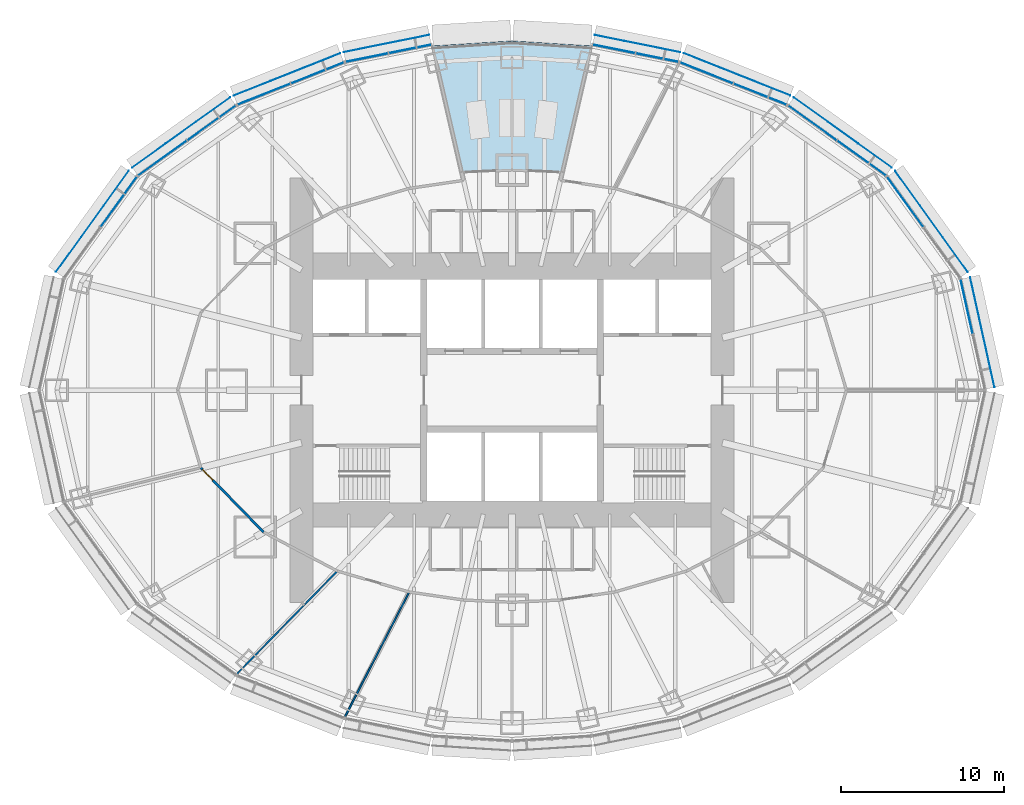
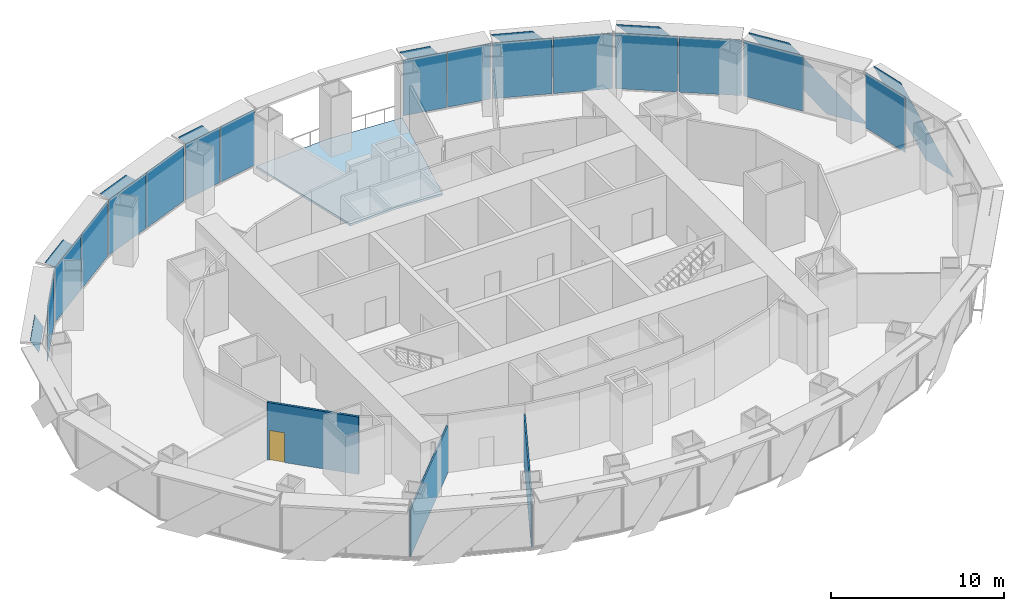
# One storey, part 10 of 17: 24 plates, 3 walls, 1 door, 1 slab, 1 opening, 9 elements without a shape of their own.
"""IFC4 building model written with IfcOpenShell, lengths in metres."""

from ifc_helpers import new_model, si_unit, direction, frame, frame_2d, origin, origin_2d, place, context, subcontext, project, spatial, polyline, rectangle, outline, extrude, material, layer, layer_set, type_object, element, fill, aggregate, save


model = new_model("IFC4")

# Units and contexts
model_context = context("Model", 3, precision=1e-05, world=origin(), true_north=direction((0.0, 1.0)))
body_context = subcontext(model_context, "Body", "Model", "MODEL_VIEW")
ifc_project = project(units=[si_unit("LENGTHUNIT", "METRE"), si_unit("AREAUNIT", "SQUARE_METRE"), si_unit("VOLUMEUNIT", "CUBIC_METRE"), si_unit("PLANEANGLEUNIT", "RADIAN"), si_unit("MASSUNIT", "GRAM", prefix="KILO")], contexts=[model_context])

# Site, building, storey
site_placement = place(None, origin())
site = spatial("IfcSite", under=ifc_project, at=site_placement, CompositionType="ELEMENT")
building_placement = place(site_placement, origin())
building = spatial("IfcBuilding", under=site, at=building_placement, Name="Lantaw Convention Tower", CompositionType="ELEMENT")
storey_placement = place(building_placement, frame((0.0, 0.0, 151.0)))
storey = spatial("IfcBuildingStorey", under=building, at=storey_placement, Name="L35", CompositionType="ELEMENT", Elevation=151.0)

# Curtain wall, plate
ifc_material_1 = material(Name="Aluminium framed curtain wall", Category="aluminium")
curtain_wall_type = type_object("IfcCurtainWallType", Name="Office curtain wall low rise, pale aluminium", PredefinedType="USERDEFINED", material=ifc_material_1)
curtain_wall_1_placement = place(storey_placement, origin())
curtain_wall_1 = element("IfcCurtainWall", 1, at=curtain_wall_1_placement, inside=storey, type_object=curtain_wall_type, Name="Office curtain wall low rise, pale aluminium L35", ObjectType="UNITISED CURTAIN WALL", PredefinedType="USERDEFINED")
ifc_material_2 = material(Name="Clear insulating glass", Category="glass")
ifc_layer_1 = layer(ifc_material_2, 0.028076171875)
ifc_layer_set_1 = layer_set([ifc_layer_1], Name="CW-O1 panel 28")
plate_type_1 = type_object("IfcPlateType", Name="CW-O1 panel 28", PredefinedType="CURTAIN_PANEL", material=ifc_layer_set_1)
plate_1_placement = place(storey_placement, frame((27.868896484375, 5.1240234375, 0.06494140625), z_axis=(0.0, 0.0, 1.0), x_axis=(-0.215546166174, 0.9764936509, 0.0)))
plate_1 = element("IfcPlate", 2, at=plate_1_placement, type_object=plate_type_1, Name="CW-O1 panel 2.1", PredefinedType="CURTAIN_PANEL", context=body_context, shape_type="SweptSolid", body=[
    extrude(rectangle(XDim=3.41162109375, YDim=0.028076171875, at=origin_2d()), origin(), (0.0, 0.0, 1.0), 3.919921875),
])
aggregate(curtain_wall_1, [plate_1])

curtain_wall_2_placement = place(storey_placement, origin())
curtain_wall_2 = element("IfcCurtainWall", 3, at=curtain_wall_2_placement, inside=storey, type_object=curtain_wall_type, Name="Office curtain wall low rise, pale aluminium L35", ObjectType="UNITISED CURTAIN WALL", PredefinedType="USERDEFINED")
plate_2_placement = place(storey_placement, frame((24.108154296875, 11.5439453125, 0.06494140625), z_axis=(0.0, 0.0, 1.0), x_axis=(-0.584512597221, 0.811384633629, 0.0)))
plate_2 = element("IfcPlate", 4, at=plate_2_placement, type_object=plate_type_1, Name="CW-O1 panel 2.1", PredefinedType="CURTAIN_PANEL", context=body_context, shape_type="SweptSolid", body=[
    extrude(rectangle(XDim=3.767333984375, YDim=0.028076171875, at=origin_2d()), origin(), (0.0, 0.0, 1.0), 3.919921875),
])
aggregate(curtain_wall_2, [plate_2])

# Curtain wall, plates
curtain_wall_3_placement = place(storey_placement, origin())
curtain_wall_3 = element("IfcCurtainWall", 5, at=curtain_wall_3_placement, inside=storey, type_object=curtain_wall_type, Name="Office curtain wall low rise, pale aluminium L35", ObjectType="UNITISED CURTAIN WALL", PredefinedType="USERDEFINED")
plate_3_placement = place(storey_placement, frame((21.43408203125, 14.2236328125, 0.06494140625), z_axis=(0.0, 0.0, 1.0), x_axis=(-0.813208325995, 0.581972695693, 0.0)))
plate_3 = element("IfcPlate", 6, at=plate_3_placement, type_object=plate_type_1, Name="CW-O1 panel 1.1", PredefinedType="CURTAIN_PANEL", context=body_context, shape_type="SweptSolid", body=[
    extrude(rectangle(XDim=3.645263671875, YDim=0.028076171875, at=origin_2d()), origin(), (0.0, 0.0, 1.0), 3.919921875),
])
plate_4_placement = place(storey_placement, frame((18.416748046875, 16.383056640625, 0.06494140625), z_axis=(0.0, 0.0, 1.0), x_axis=(-0.813208325995, 0.581972695693, 0.0)))
plate_4 = element("IfcPlate", 7, at=plate_4_placement, type_object=plate_type_1, Name="CW-O1 panel 2.1", PredefinedType="CURTAIN_PANEL", context=body_context, shape_type="SweptSolid", body=[
    extrude(rectangle(XDim=3.645263671875, YDim=0.028076171875, at=origin_2d()), origin(), (0.0, 0.0, 1.0), 3.919921875),
])
aggregate(curtain_wall_3, [plate_3, plate_4])

curtain_wall_4_placement = place(storey_placement, origin())
curtain_wall_4 = element("IfcCurtainWall", 8, at=curtain_wall_4_placement, inside=storey, type_object=curtain_wall_type, Name="Office curtain wall low rise, pale aluminium L35", ObjectType="UNITISED CURTAIN WALL", PredefinedType="USERDEFINED")
plate_5_placement = place(storey_placement, frame((15.208251953125, 18.145263671875, 0.06494140625), z_axis=(0.0, 0.0, 1.0), x_axis=(-0.929547687544, 0.368701907483, 0.0)))
plate_5 = element("IfcPlate", 9, at=plate_5_placement, type_object=plate_type_1, Name="CW-O1 panel 1.1", PredefinedType="CURTAIN_PANEL", context=body_context, shape_type="SweptSolid", body=[
    extrude(rectangle(XDim=3.470703125, YDim=0.028076171875, at=origin_2d()), origin(), (0.0, 0.0, 1.0), 3.919921875),
])
plate_6_placement = place(storey_placement, frame((11.921630859375, 19.448974609375, 0.06494140625), z_axis=(0.0, 0.0, 1.0), x_axis=(-0.929547687544, 0.368701907483, 0.0)))
plate_6 = element("IfcPlate", 10, at=plate_6_placement, type_object=plate_type_1, Name="CW-O1 panel 2.1", PredefinedType="CURTAIN_PANEL", context=body_context, shape_type="SweptSolid", body=[
    extrude(rectangle(XDim=3.470703125, YDim=0.028076171875, at=origin_2d()), origin(), (0.0, 0.0, 1.0), 3.919921875),
])
aggregate(curtain_wall_4, [plate_5, plate_6])

curtain_wall_5_placement = place(storey_placement, origin())
curtain_wall_5 = element("IfcCurtainWall", 11, at=curtain_wall_5_placement, inside=storey, type_object=curtain_wall_type, Name="Office curtain wall low rise, pale aluminium L35", ObjectType="UNITISED CURTAIN WALL", PredefinedType="USERDEFINED")
plate_7_placement = place(storey_placement, frame((8.893310546875, 20.3857421875, 0.06494140625), z_axis=(0.0, 0.0, 1.0), x_axis=(-0.980301514912, 0.197506809659, 0.0)))
plate_7 = element("IfcPlate", 12, at=plate_7_placement, type_object=plate_type_1, Name="CW-O1 panel 1.1", PredefinedType="CURTAIN_PANEL", context=body_context, shape_type="SweptSolid", body=[
    extrude(rectangle(XDim=2.634033203125, YDim=0.028076171875, at=origin_2d()), origin(), (0.0, 0.0, 1.0), 3.919921875),
])
plate_8_placement = place(storey_placement, frame((6.247314453125, 20.9189453125, 0.06494140625), z_axis=(0.0, 0.0, 1.0), x_axis=(-0.980301514912, 0.197506809659, 0.0)))
plate_8 = element("IfcPlate", 13, at=plate_8_placement, type_object=plate_type_1, Name="CW-O1 panel 2.1", PredefinedType="CURTAIN_PANEL", context=body_context, shape_type="SweptSolid", body=[
    extrude(rectangle(XDim=2.634033203125, YDim=0.028076171875, at=origin_2d()), origin(), (0.0, 0.0, 1.0), 3.919921875),
])
aggregate(curtain_wall_5, [plate_7, plate_8])

curtain_wall_6_placement = place(storey_placement, origin())
curtain_wall_6 = element("IfcCurtainWall", 14, at=curtain_wall_6_placement, inside=storey, type_object=curtain_wall_type, Name="Office curtain wall low rise, pale aluminium L35", ObjectType="UNITISED CURTAIN WALL", PredefinedType="USERDEFINED")
plate_9_placement = place(storey_placement, frame((-6.247314453125, 20.9189453125, 0.06494140625), z_axis=(0.0, 0.0, 1.0), x_axis=(-0.980301514912, -0.197506809659, 0.0)))
plate_9 = element("IfcPlate", 15, at=plate_9_placement, type_object=plate_type_1, Name="CW-O1 panel 1.1", PredefinedType="CURTAIN_PANEL", context=body_context, shape_type="SweptSolid", body=[
    extrude(rectangle(XDim=2.634033203125, YDim=0.028076171875, at=origin_2d()), origin(), (0.0, 0.0, 1.0), 3.919921875),
])
plate_10_placement = place(storey_placement, frame((-8.893310546875, 20.3857421875, 0.06494140625), z_axis=(0.0, 0.0, 1.0), x_axis=(-0.980301514912, -0.197506809659, 0.0)))
plate_10 = element("IfcPlate", 16, at=plate_10_placement, type_object=plate_type_1, Name="CW-O1 panel 2.1", PredefinedType="CURTAIN_PANEL", context=body_context, shape_type="SweptSolid", body=[
    extrude(rectangle(XDim=2.634033203125, YDim=0.028076171875, at=origin_2d()), origin(), (0.0, 0.0, 1.0), 3.919921875),
])
aggregate(curtain_wall_6, [plate_9, plate_10])

curtain_wall_7_placement = place(storey_placement, origin())
curtain_wall_7 = element("IfcCurtainWall", 17, at=curtain_wall_7_placement, inside=storey, type_object=curtain_wall_type, Name="Office curtain wall low rise, pale aluminium L35", ObjectType="UNITISED CURTAIN WALL", PredefinedType="USERDEFINED")
plate_11_placement = place(storey_placement, frame((-11.921630859375, 19.448974609375, 0.06494140625), z_axis=(0.0, 0.0, 1.0), x_axis=(-0.929547687544, -0.368701907483, 0.0)))
plate_11 = element("IfcPlate", 18, at=plate_11_placement, type_object=plate_type_1, Name="CW-O1 panel 1.1", PredefinedType="CURTAIN_PANEL", context=body_context, shape_type="SweptSolid", body=[
    extrude(rectangle(XDim=3.470703125, YDim=0.028076171875, at=origin_2d()), origin(), (0.0, 0.0, 1.0), 3.919921875),
])
plate_12_placement = place(storey_placement, frame((-15.208251953125, 18.145263671875, 0.06494140625), z_axis=(0.0, 0.0, 1.0), x_axis=(-0.929547687544, -0.368701907483, 0.0)))
plate_12 = element("IfcPlate", 19, at=plate_12_placement, type_object=plate_type_1, Name="CW-O1 panel 2.1", PredefinedType="CURTAIN_PANEL", context=body_context, shape_type="SweptSolid", body=[
    extrude(rectangle(XDim=3.470703125, YDim=0.028076171875, at=origin_2d()), origin(), (0.0, 0.0, 1.0), 3.919921875),
])
aggregate(curtain_wall_7, [plate_11, plate_12])

curtain_wall_8_placement = place(storey_placement, origin())
curtain_wall_8 = element("IfcCurtainWall", 20, at=curtain_wall_8_placement, inside=storey, type_object=curtain_wall_type, Name="Office curtain wall low rise, pale aluminium L35", ObjectType="UNITISED CURTAIN WALL", PredefinedType="USERDEFINED")
plate_13_placement = place(storey_placement, frame((-18.416748046875, 16.383056640625, 0.06494140625), z_axis=(0.0, 0.0, 1.0), x_axis=(-0.813208325995, -0.581972695693, 0.0)))
plate_13 = element("IfcPlate", 21, at=plate_13_placement, type_object=plate_type_1, Name="CW-O1 panel 1.1", PredefinedType="CURTAIN_PANEL", context=body_context, shape_type="SweptSolid", body=[
    extrude(rectangle(XDim=3.645263671875, YDim=0.028076171875, at=origin_2d()), origin(), (0.0, 0.0, 1.0), 3.919921875),
])
plate_14_placement = place(storey_placement, frame((-21.43408203125, 14.2236328125, 0.06494140625), z_axis=(0.0, 0.0, 1.0), x_axis=(-0.813208325995, -0.581972695693, 0.0)))
plate_14 = element("IfcPlate", 22, at=plate_14_placement, type_object=plate_type_1, Name="CW-O1 panel 2.1", PredefinedType="CURTAIN_PANEL", context=body_context, shape_type="SweptSolid", body=[
    extrude(rectangle(XDim=3.645263671875, YDim=0.028076171875, at=origin_2d()), origin(), (0.0, 0.0, 1.0), 3.919921875),
])
aggregate(curtain_wall_8, [plate_13, plate_14])

# Curtain wall, plate
curtain_wall_9_placement = place(storey_placement, origin())
curtain_wall_9 = element("IfcCurtainWall", 23, at=curtain_wall_9_placement, inside=storey, type_object=curtain_wall_type, Name="Office curtain wall low rise, pale aluminium L35", ObjectType="UNITISED CURTAIN WALL", PredefinedType="USERDEFINED")
plate_15_placement = place(storey_placement, frame((-24.108154296875, 11.5439453125, 0.06494140625), z_axis=(0.0, 0.0, 1.0), x_axis=(-0.584512597221, -0.811384633629, 0.0)))
plate_15 = element("IfcPlate", 24, at=plate_15_placement, type_object=plate_type_1, Name="CW-O1 panel 1.1", PredefinedType="CURTAIN_PANEL", context=body_context, shape_type="SweptSolid", body=[
    extrude(rectangle(XDim=3.767333984375, YDim=0.028076171875, at=origin_2d()), origin(), (0.0, 0.0, 1.0), 3.919921875),
])
aggregate(curtain_wall_9, [plate_15])

# Plates
ifc_material_3 = material(Name="Perforated aluminium sheet, pale silver finish", Category="aluminium")
ifc_layer_2 = layer(ifc_material_3, 0.006103515625)
ifc_layer_set_2 = layer_set([ifc_layer_2], Name="Perforated aluminium solar SCREEN panel")
plate_type_2 = type_object("IfcPlateType", Name="Perforated aluminium solar SCREEN panel", PredefinedType="SHEET", material=ifc_layer_set_2)
plate_16_placement = place(storey_placement, frame((29.5810546875, 0.179443359375, -0.175048828125), z_axis=(0.976497812463, 0.215527309509, 3.332717e-05), x_axis=(-0.215527309629, 0.976497813005, 1.665e-09)))
element("IfcPlate", 25, at=plate_16_placement, inside=storey, type_object=plate_type_2, Name="Solar SCREEN panel", PredefinedType="SHEET", context=body_context, shape_type="SweptSolid", body=[
    extrude(outline(polyline([(0.0, 0.0), (2.3861843673609986, 3.3881317890172014e-21), (6.918240190546627, 4.340087881517419), (4.532108442157707, 4.340087889462621), (0.0, 0.0)])), origin(), (0.0, 0.0, -1.0), 0.006103515625),
])
plate_17_placement = place(storey_placement, frame((27.94970703125, 7.248046875, -0.175048828125), z_axis=(0.81139512159, 0.584498037099, 3.5886784e-05), x_axis=(-0.584498037475, 0.811395122112, -9.74e-10)))
element("IfcPlate", 26, at=plate_17_placement, inside=storey, type_object=plate_type_2, Name="Solar SCREEN panel", PredefinedType="SHEET", context=body_context, shape_type="SweptSolid", body=[
    extrude(outline(polyline([(0.0, 0.0), (2.628222178575422, -6.776263578034403e-21), (7.629778257969264, 4.340087900852944), (5.001754173906077, 4.340087895732103), (0.0, 0.0)])), origin(), (0.0, 0.0, -1.0), 0.006103515625),
])
plate_18_placement = place(storey_placement, frame((23.281005859375, 13.64697265625, -0.175048828125), z_axis=(0.582000183937, 0.813188653244, 1.1537145e-05), x_axis=(-0.813188653298, 0.582000183975, 0.0)))
element("IfcPlate", 27, at=plate_18_placement, inside=storey, type_object=plate_type_2, Name="Solar SCREEN panel", PredefinedType="SHEET", context=body_context, shape_type="SweptSolid", body=[
    extrude(outline(polyline([(0.0, 0.0), (2.5450183911586484, 0.0), (7.385531276904658, 4.340087890913846), (4.840512885746009, 4.340087890913846), (0.0, 0.0)])), origin(), (0.0, 0.0, -1.0), 0.006103515625),
])
plate_19_placement = place(storey_placement, frame((17.05859375, 18.063232421875, -0.175048828125), z_axis=(-0.368708915367, -0.929544907797, 1.086705e-05), x_axis=(-0.929544907851, 0.368708915389, 7.1e-10)))
element("IfcPlate", 28, at=plate_19_placement, inside=storey, type_object=plate_type_2, Name="Solar SCREEN panel", PredefinedType="SHEET", context=body_context, shape_type="SweptSolid", body=[
    extrude(outline(polyline([(0.0, 0.0), (2.4263803793049097, -1.6940658945086007e-21), (7.036549629566982, -4.340087885886879), (4.61003232741235, -4.340087889331358), (0.0, 0.0)])), origin(), (0.0, 0.0, -1.0), 0.006103515625),
])
plate_20_placement = place(storey_placement, frame((10.318603515625, 20.716796875, -0.175048828125), z_axis=(0.197556725442, 0.980291455983, 3.9483498e-05), x_axis=(-0.980291456747, 0.197556725596, 0.0)))
element("IfcPlate", 29, at=plate_20_placement, inside=storey, type_object=plate_type_2, Name="Solar SCREEN panel", PredefinedType="SHEET", context=body_context, shape_type="SweptSolid", body=[
    extrude(outline(polyline([(0.0, 0.0), (1.8574075788555457, 3.3881317890172014e-21), (5.362987026845185, 4.340087894007983), (3.505579447989639, 4.340087894007983), (0.0, 0.0)])), origin(), (0.0, 0.0, -1.0), 0.006103515625),
])
plate_21_placement = place(storey_placement, frame((-5.061279296875, 21.776123046875, -0.175048828125), z_axis=(0.197556725442, -0.980291455983, 3.9483498e-05), x_axis=(-0.980291456747, -0.197556725596, 0.0)))
element("IfcPlate", 30, at=plate_21_placement, inside=storey, type_object=plate_type_2, Name="Solar SCREEN panel", PredefinedType="SHEET", context=body_context, shape_type="SweptSolid", body=[
    extrude(outline(polyline([(0.0, 0.0), (1.8574075788555457, -3.3881317890172014e-21), (5.362987026845185, -4.340087894007983), (3.505579447989639, -4.340087894007983), (0.0, 0.0)])), origin(), (0.0, 0.0, -1.0), 0.006103515625),
])
plate_22_placement = place(storey_placement, frame((-10.517822265625, 20.65771484375, -0.175048828125), z_axis=(-0.368708915367, 0.929544907797, 1.086705e-05), x_axis=(-0.929544907851, -0.368708915389, -7.1e-10)))
element("IfcPlate", 31, at=plate_22_placement, inside=storey, type_object=plate_type_2, Name="Solar SCREEN panel", PredefinedType="SHEET", context=body_context, shape_type="SweptSolid", body=[
    extrude(outline(polyline([(0.0, 0.0), (2.426517302154632, -1.6940658945086007e-21), (7.036549623406159, 4.340087895875372), (4.610169244101249, 4.340087892431086), (0.0, 0.0)])), origin(), (0.0, 0.0, -1.0), 0.006103515625),
])
plate_23_placement = place(storey_placement, frame((-17.275146484375, 17.9453125, -0.175048828125), z_axis=(0.582000183937, -0.813188653244, 1.1537145e-05), x_axis=(-0.813188653298, -0.582000183975, 0.0)))
element("IfcPlate", 32, at=plate_23_placement, inside=storey, type_object=plate_type_2, Name="Solar SCREEN panel", PredefinedType="SHEET", context=body_context, shape_type="SweptSolid", body=[
    extrude(outline(polyline([(0.0, 0.0), (2.5450183911586484, 0.0), (7.385531276904658, -4.340087890913846), (4.840512885746009, -4.340087890913846), (0.0, 0.0)])), origin(), (0.0, 0.0, -1.0), 0.006103515625),
])
plate_24_placement = place(storey_placement, frame((-23.489990234375, 13.438720703125, -0.175048828125), z_axis=(0.81139512159, -0.584498037099, 3.5886784e-05), x_axis=(-0.584498037475, -0.811395122112, 9.74e-10)))
element("IfcPlate", 33, at=plate_24_placement, inside=storey, type_object=plate_type_2, Name="Solar SCREEN panel", PredefinedType="SHEET", context=body_context, shape_type="SweptSolid", body=[
    extrude(outline(polyline([(0.0, 0.0), (2.6280240840631874, -6.776263578034403e-21), (7.6297782664261495, -4.340087885985926), (5.0015560878507275, -4.340087891107152), (0.0, 0.0)])), origin(), (0.0, 0.0, -1.0), 0.006103515625),
])

# Slab
ifc_material_4 = material(Name="Concrete C35/45", Category="concrete")
ifc_layer_3 = layer(ifc_material_4, 0.14990234375)
ifc_layer_set_3 = layer_set([ifc_layer_3], Name="Terrace slab 150")
slab_type = type_object("IfcSlabType", Name="Terrace slab 150", PredefinedType="ROOF", material=ifc_layer_set_3)
slab_placement = place(storey_placement, frame((0.0, 0.0, -0.14990234375)))
element("IfcSlab", 34, at=slab_placement, inside=storey, type_object=slab_type, Name="L35 sky garden terrace", PredefinedType="ROOF", context=body_context, shape_type="SweptSolid", body=[
    extrude(outline(polyline([(-3.0830078125, 13.353759765625), (0.0, 13.5), (3.0830078125, 13.353759765625), (4.87548828125, 21.11767578125), (0.0, 21.4248046875), (-4.87548828125, 21.11767578125), (-3.0830078125, 13.353759765625)])), origin(), (0.0, 0.0, 1.0), 0.14990234375),
])

# Wall, opening, door
ifc_material_5 = material(Name="Gypsum board on steel studs, fire rated", Category="steel")
ifc_layer_4 = layer(ifc_material_5, 0.14990234375)
ifc_layer_set_4 = layer_set([ifc_layer_4], Name="Corridor wall 150 EI 60")
wall_type_1 = type_object("IfcWallType", Name="Corridor wall 150 EI 60", PredefinedType="PARTITIONING", material=ifc_layer_set_4)
wall_1_placement = place(storey_placement, frame((-19.078369140625, -4.7568359375, 0.0), z_axis=(0.0, 0.0, 1.0), x_axis=(0.698305033542, -0.715800307439, 0.0)))
wall_1 = element("IfcWall", 35, at=wall_1_placement, inside=storey, type_object=wall_type_1, Name="Corridor wall 150", PredefinedType="PARTITIONING", context=body_context, shape_type="SweptSolid", body=[
    extrude(rectangle(XDim=5.51220703125, YDim=0.14990234375, at=frame_2d((2.756103515625, 0.0))), origin(), (0.0, 0.0, 1.0), 4.050048828125),
])
opening_placement = place(wall_1_placement, frame((0.14990234375, 0.0, 0.0)))
opening = element("IfcOpeningElement", 36, at=opening_placement, cuts=wall_1, Name="Opening L35.23", PredefinedType="OPENING", context=body_context, shape_type="SweptSolid", body=[
    extrude(rectangle(XDim=0.89990234375, YDim=2.10009765625, at=frame_2d((0.449951171875, 1.050048828125))), frame((0.0, 0.0849609375, 0.0), z_axis=(0.0, -1.0, 0.0), x_axis=(1.0, 0.0, 0.0)), (0.0, 0.0, 1.0), 0.169921875),
])
ifc_material_6 = material(Name="Steel, fire rated", Category="steel")
door_type = type_object("IfcDoorType", Name="Office door 900 FD30", OperationType="SINGLE_SWING_LEFT", PredefinedType="DOOR", material=ifc_material_6)
door_placement = place(opening_placement, origin())
door = element("IfcDoor", 37, at=door_placement, inside=storey, type_object=door_type, Name="Focus room door", OperationType="SINGLE_SWING_LEFT", OverallHeight=2.10009765625, OverallWidth=0.89990234375, PredefinedType="DOOR", context=body_context, shape_type="SweptSolid", body=[
    extrude(rectangle(XDim=0.89990234375, YDim=2.10009765625, at=frame_2d((0.449951171875, 1.050048828125))), frame((0.0, 0.02490234375, 0.0), z_axis=(0.0, -1.0, 0.0), x_axis=(1.0, 0.0, 0.0)), (0.0, 0.0, 1.0), 0.050048828125),
])
fill(opening, door)

# Walls
ifc_material_7 = material(Name="Gypsum board on steel studs, acoustic", Category="steel")
ifc_layer_5 = layer(ifc_material_7, 0.10009765625)
ifc_layer_set_5 = layer_set([ifc_layer_5], Name="Office partition 100")
wall_type_2 = type_object("IfcWallType", Name="Office partition 100", PredefinedType="PARTITIONING", material=ifc_layer_set_5)
wall_2_placement = place(storey_placement, frame((-16.88232421875, -17.413818359375, 0.0), z_axis=(0.0, 0.0, 1.0), x_axis=(0.698509457669, 0.715600822769, 0.0)))
element("IfcWall", 38, at=wall_2_placement, inside=storey, type_object=wall_type_2, Name="Office partition 100", PredefinedType="PARTITIONING", context=body_context, shape_type="SweptSolid", body=[
    extrude(rectangle(XDim=8.842041015625, YDim=0.10009765625, at=frame_2d((4.4208984375, 0.0))), origin(), (0.0, 0.0, 1.0), 3.321044921875),
])
wall_3_placement = place(storey_placement, frame((-10.253173828125, -20.0517578125, 0.0), z_axis=(0.0, 0.0, 1.0), x_axis=(0.457326298316, 0.88929896934, 0.0)))
element("IfcWall", 39, at=wall_3_placement, inside=storey, type_object=wall_type_2, Name="Office partition 100", PredefinedType="PARTITIONING", context=body_context, shape_type="SweptSolid", body=[
    extrude(rectangle(XDim=8.6376953125, YDim=0.10009765625, at=frame_2d((4.31884765625, 0.0))), origin(), (0.0, 0.0, 1.0), 3.348876953125),
])

save(model, "model.ifc")
